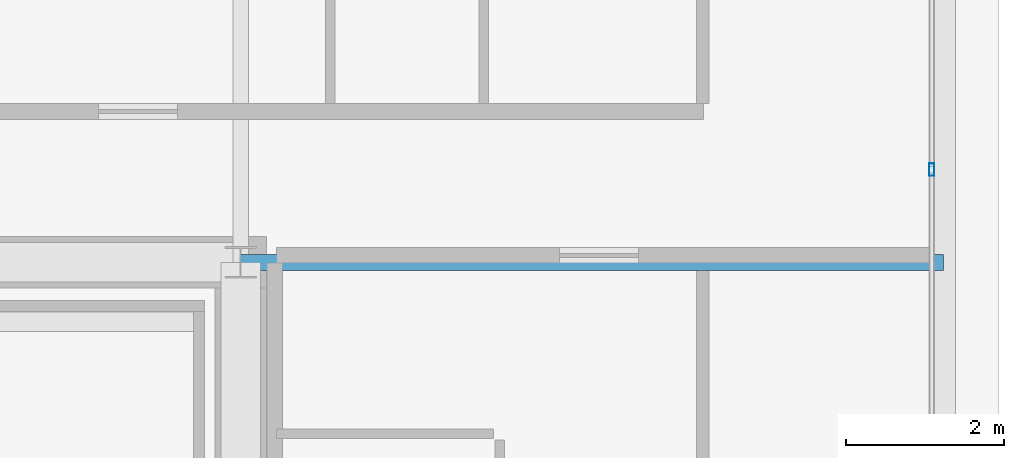
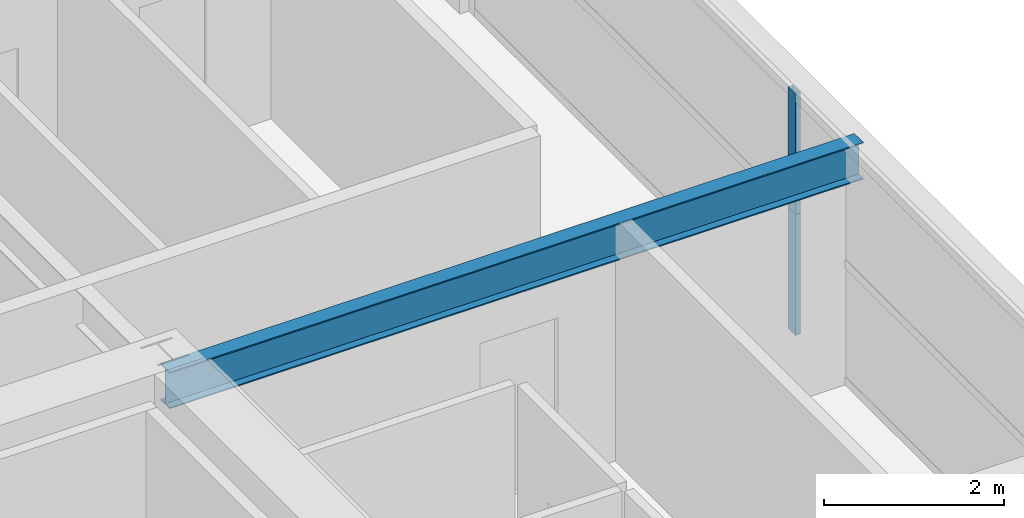
# One storey, part 28 of 45: 2 members, 1 beam, 1 element without a shape of its own.
"""IFC4 building model written with IfcOpenShell, lengths in metres."""

from ifc_helpers import new_model, si_unit, direction, frame, origin, origin_2d, place, context, subcontext, project, spatial, hollow_rectangle, i_section, extrude, source, transform, mapped, material, layer, layer_set, material_profile, profile_set, type_object, element, aggregate, save


model = new_model("IFC4")

# Units and contexts
model_context = context("Model", 3, precision=1e-05, world=origin(), true_north=direction((0.0, 1.0)))
body_context = subcontext(model_context, "Body", "Model", "MODEL_VIEW")
ifc_project = project(units=[si_unit("LENGTHUNIT", "METRE"), si_unit("AREAUNIT", "SQUARE_METRE"), si_unit("VOLUMEUNIT", "CUBIC_METRE"), si_unit("PLANEANGLEUNIT", "RADIAN"), si_unit("MASSUNIT", "GRAM", prefix="KILO"), si_unit("THERMODYNAMICTEMPERATUREUNIT", "KELVIN"), si_unit("POWERUNIT", "WATT")], contexts=[model_context])

# Site, building, storey
site_placement = place(None, origin())
site = spatial("IfcSite", under=ifc_project, at=site_placement, CompositionType="ELEMENT")
building_placement = place(site_placement, origin())
building = spatial("IfcBuilding", under=site, at=building_placement, Name="Yuzanri Waterfront Tower", CompositionType="ELEMENT")
storey_placement = place(building_placement, frame((0.0, 0.0, 198.5)))
storey = spatial("IfcBuildingStorey", under=building, at=storey_placement, Name="L52", CompositionType="ELEMENT", Elevation=198.5)

# Beam
ifc_material_1 = material(Name="Steel Q355B", Category="steel")
ifc_material_profile_1 = material_profile(ifc_material_1, i_section(OverallWidth=0.199951171875, OverallDepth=0.5, WebThickness=0.010009765625, FlangeThickness=0.01611328125, at=origin_2d()), Name="HN 500x200x10x16")
ifc_profile_set_1 = profile_set([ifc_material_profile_1], Name="Steel Q355B")
beam_type = type_object("IfcBeamType", Name="Secondary Floor Beam Q355B HN 500x200", PredefinedType="BEAM", material=ifc_profile_set_1)
shared_shape_1 = source(origin(), body_context, "Body", "SweptSolid", [
    extrude(i_section(OverallWidth=0.199951171875, OverallDepth=0.5, WebThickness=0.010009765625, FlangeThickness=0.01611328125, at=origin_2d()), origin(), (0.0, 0.0, 1.0), 8.900146484375),
])
beam_placement = place(storey_placement, frame((50.199951171875, 32.199951171875, 3.030029296875), z_axis=(1.0, 0.0, 0.0), x_axis=(0.0, 1.0, 0.0)))
element("IfcBeam", 1, at=beam_placement, inside=storey, type_object=beam_type, Name="L52 East-North Core Line Beam", PredefinedType="BEAM", context=body_context, shape_type="MappedRepresentation", body=[
    mapped(shared_shape_1, transform((0.0, 0.0, 0.0), scale=1.0)),
])

# Curtain wall, members
ifc_material_2 = material(Name="Anodized Architectural Bronze", Category="metal")
ifc_layer = layer(ifc_material_2, 0.159912109375)
ifc_layer_set = layer_set([ifc_layer], Name="Anodized Architectural Bronze")
curtain_wall_type = type_object("IfcCurtainWallType", Name="Anodized Bronze Mid-Rise Residential Acoustic Unitized Curtain Wall 7200", PredefinedType="NOTDEFINED", material=ifc_layer_set)
curtain_wall_placement = place(storey_placement, origin())
curtain_wall = element("IfcCurtainWall", 2, at=curtain_wall_placement, inside=storey, type_object=curtain_wall_type, Name="L52 Curtain Wall CW-L52-ER", PredefinedType="NOTDEFINED")
ifc_material_3 = material(Name="Anodized Architectural Bronze", Category="metal")
ifc_material_profile_2 = material_profile(ifc_material_3, hollow_rectangle(XDim=0.06494140625, YDim=0.159912109375, WallThickness=0.00341796875, at=origin_2d()), Name="CWM 65x160")
ifc_profile_set_2 = profile_set([ifc_material_profile_2], Name="Anodized Architectural Bronze")
member_type = type_object("IfcMemberType", Name="Anodized Bronze Upper-Zone Curtain-Wall Mullion 65x160", PredefinedType="MULLION", material=ifc_profile_set_2)
shared_shape_2 = source(origin(), body_context, "Body", "SweptSolid", [
    extrude(hollow_rectangle(XDim=0.06494140625, YDim=0.159912109375, WallThickness=0.00341796875, at=origin_2d()), origin(), (0.0, 0.0, 1.0), 1.637939453125),
])
member_1_placement = place(storey_placement, frame((58.949951171875, 33.375, 0.0), z_axis=(0.0, 0.0, 1.0), x_axis=(1.0, 0.0, 0.0)))
member_1 = element("IfcMember", 3, at=member_1_placement, type_object=member_type, Name="CW-L52-ER Lower Mullion 01", PredefinedType="MULLION", context=body_context, shape_type="MappedRepresentation", body=[
    mapped(shared_shape_2, transform((0.0, 0.0, 0.0), scale=1.0)),
])
member_2_placement = place(storey_placement, frame((58.949951171875, 33.375, 1.64208984375), z_axis=(0.0, 0.0, 1.0), x_axis=(1.0, 0.0, 0.0)))
member_2 = element("IfcMember", 4, at=member_2_placement, type_object=member_type, Name="CW-L52-ER Upper Mullion 01", PredefinedType="MULLION", context=body_context, shape_type="MappedRepresentation", body=[
    mapped(shared_shape_2, transform((0.0, 0.0, 0.0), scale=1.0)),
])
aggregate(curtain_wall, [member_1, member_2])

save(model, "model.ifc")
